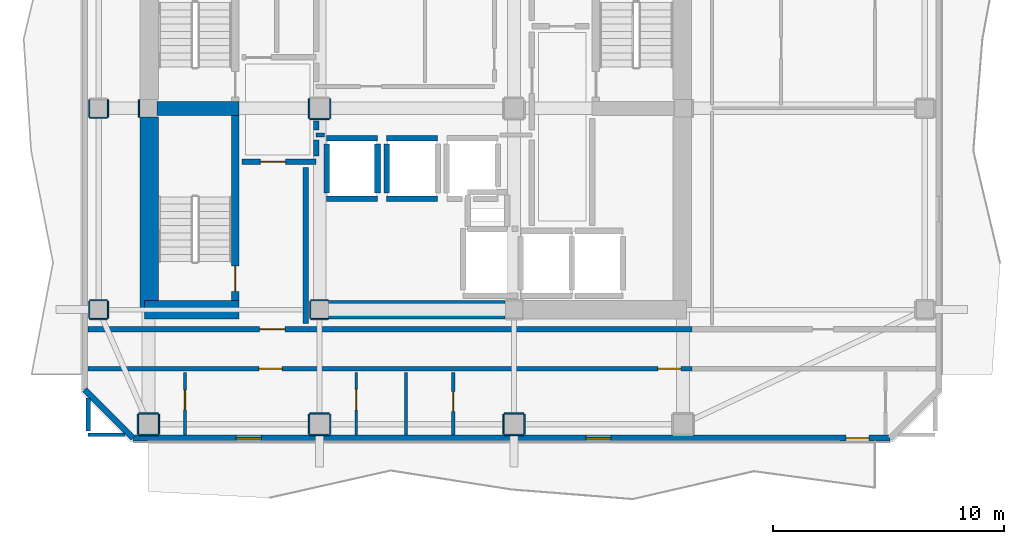
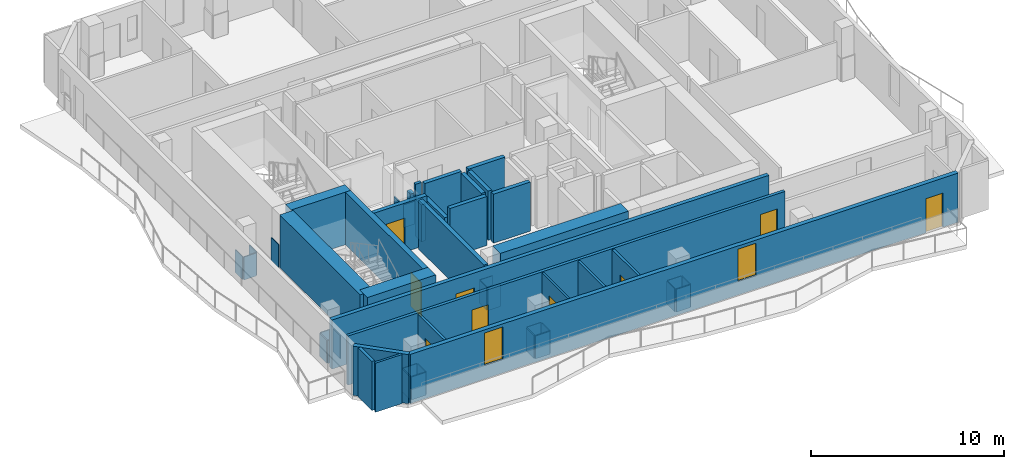
# One storey, part 2 of 9: 53 walls, 9 doors, 2 windows, 11 openings.
"""IFC4 building model written with IfcOpenShell, lengths in metres."""

from ifc_helpers import new_model, si_unit, direction, frame, frame_2d, origin, place, context, subcontext, project, spatial, rectangle, extrude, material, layer, layer_set, type_object, element, fill, save


model = new_model("IFC4")

# Units and contexts
model_context = context("Model", 3, precision=1e-05, world=origin(), true_north=direction((0.0, 1.0)))
body_context = subcontext(model_context, "Body", "Model", "MODEL_VIEW")
ifc_project = project(units=[si_unit("LENGTHUNIT", "METRE"), si_unit("AREAUNIT", "SQUARE_METRE"), si_unit("VOLUMEUNIT", "CUBIC_METRE"), si_unit("PLANEANGLEUNIT", "RADIAN"), si_unit("MASSUNIT", "GRAM", prefix="KILO")], contexts=[model_context])

# Site, building, storey
site_placement = place(None, origin())
site = spatial("IfcSite", under=ifc_project, at=site_placement, CompositionType="ELEMENT")
building_placement = place(site_placement, origin())
building = spatial("IfcBuilding", under=site, at=building_placement, Name="Solanera Arch Residences", CompositionType="ELEMENT")
storey_placement = place(building_placement, frame((0.0, 0.0, 237.919921875)))
storey = spatial("IfcBuildingStorey", under=building, at=storey_placement, Name="L69", CompositionType="ELEMENT", Elevation=237.919921875)

# Walls
ifc_material_1 = material(Name="Fire-Rated Gypsum Stud Partition", Category="gypsum")
ifc_layer_1 = layer(ifc_material_1, 0.06005859375)
ifc_layer_set_1 = layer_set([ifc_layer_1], Name="Fire-Rated Gypsum Stud Partition")
wall_type_1 = type_object("IfcWallType", Name="Column Acoustic Furring Wall 60", PredefinedType="PARTITIONING", material=ifc_layer_set_1)
for number, where, z_axis, x_axis, name in (
    (1, (20.425048828125, 21.593017578125, 0.0), (0.0, 0.0, 1.0), (1.0, 0.0, 0.0), "L69 Column Furring 1S"),
    (2, (20.425048828125, 22.406982421875, 0.0), (0.0, 0.0, 1.0), (1.0, 0.0, 0.0), "L69 Column Furring 1N"),
):
    element("IfcWall", number, at=place(storey_placement, frame(where, z_axis=z_axis, x_axis=x_axis)), inside=storey, type_object=wall_type_1, Name=name, PredefinedType="PARTITIONING", context=body_context, shape_type="SweptSolid", body=[
        extrude(rectangle(XDim=0.741943359375, YDim=0.06005859375, at=frame_2d((0.37109375, 0.0))), origin(), (0.0, 0.0, 1.0), 1.4501953125),
    ])
for number, where, z_axis, x_axis, name in (
    (3, (20.39306640625, 21.625, 0.0), (0.0, 0.0, 1.0), (0.0, 1.0, 0.0), "L69 Column Furring 1W"),
    (4, (12.992919921875, 30.324951171875, 0.0), (0.0, 0.0, 1.0), (0.0, 1.0, 0.0), "L69 Column Furring 5W"),
):
    element("IfcWall", number, at=place(storey_placement, frame(where, z_axis=z_axis, x_axis=x_axis)), inside=storey, type_object=wall_type_1, Name=name, PredefinedType="PARTITIONING", context=body_context, shape_type="SweptSolid", body=[
        extrude(rectangle(XDim=0.75, YDim=0.06005859375, at=frame_2d((0.375, 0.0))), origin(), (0.0, 0.0, 1.0), 1.4501953125),
    ])
for number, where, z_axis, x_axis, name in (
    (5, (20.375, 30.242919921875, 0.0), (0.0, 0.0, 1.0), (1.0, 0.0, 0.0), "L69 Column Furring 7S"),
    (6, (20.343017578125, 30.27490234375, 0.0), (0.0, 0.0, 1.0), (0.0, 1.0, 0.0), "L69 Column Furring 7W"),
    (7, (21.257080078125, 30.27490234375, 0.0), (0.0, 0.0, 1.0), (0.0, 1.0, 0.0), "L69 Column Furring 7E"),
):
    element("IfcWall", number, at=place(storey_placement, frame(where, z_axis=z_axis, x_axis=x_axis)), inside=storey, type_object=wall_type_1, Name=name, PredefinedType="PARTITIONING", context=body_context, shape_type="SweptSolid", body=[
        extrude(rectangle(XDim=0.85009765625, YDim=0.06005859375, at=frame_2d((0.425048828125, 0.0))), origin(), (0.0, 0.0, 1.0), 1.4501953125),
    ])
for number, where, z_axis, x_axis, name in (
    (8, (12.97509765625, 16.593017578125, 0.0), (0.0, 0.0, 1.0), (1.0, 0.0, 0.0), "L69 Column Furring 9S"),
    (9, (12.97509765625, 17.507080078125, 0.0), (0.0, 0.0, 1.0), (1.0, 0.0, 0.0), "L69 Column Furring 9N"),
):
    element("IfcWall", number, at=place(storey_placement, frame(where, z_axis=z_axis, x_axis=x_axis)), inside=storey, type_object=wall_type_1, Name=name, PredefinedType="PARTITIONING", context=body_context, shape_type="SweptSolid", body=[
        extrude(rectangle(XDim=0.849853515625, YDim=0.06005859375, at=frame_2d((0.4248046875, 0.0))), origin(), (0.0, 0.0, 1.0), 1.4501953125),
    ])
for number, where, z_axis, x_axis, name in (
    (10, (12.943115234375, 16.625, 0.0), (0.0, 0.0, 1.0), (0.0, 1.0, 0.0), "L69 Column Furring 9W"),
    (11, (13.85693359375, 16.625, 0.0), (0.0, 0.0, 1.0), (0.0, 1.0, 0.0), "L69 Column Furring 9E"),
    (12, (20.375, 16.593017578125, 0.0), (0.0, 0.0, 1.0), (1.0, 0.0, 0.0), "L69 Column Furring 11S"),
    (13, (20.375, 17.507080078125, 0.0), (0.0, 0.0, 1.0), (1.0, 0.0, 0.0), "L69 Column Furring 11N"),
    (14, (20.343017578125, 16.625, 0.0), (0.0, 0.0, 1.0), (0.0, 1.0, 0.0), "L69 Column Furring 11W"),
    (15, (21.257080078125, 16.625, 0.0), (0.0, 0.0, 1.0), (0.0, 1.0, 0.0), "L69 Column Furring 11E"),
    (16, (28.77490234375, 16.593017578125, 0.0), (0.0, 0.0, 1.0), (1.0, 0.0, 0.0), "L69 Column Furring 13S"),
    (17, (28.77490234375, 17.507080078125, 0.0), (0.0, 0.0, 1.0), (1.0, 0.0, 0.0), "L69 Column Furring 13N"),
    (18, (28.742919921875, 16.625, 0.0), (0.0, 0.0, 1.0), (0.0, 1.0, 0.0), "L69 Column Furring 13W"),
    (19, (29.656982421875, 16.625, 0.0), (0.0, 0.0, 1.0), (0.0, 1.0, 0.0), "L69 Column Furring 13E"),
):
    element("IfcWall", number, at=place(storey_placement, frame(where, z_axis=z_axis, x_axis=x_axis)), inside=storey, type_object=wall_type_1, Name=name, PredefinedType="PARTITIONING", context=body_context, shape_type="SweptSolid", body=[
        extrude(rectangle(XDim=0.85009765625, YDim=0.06005859375, at=frame_2d((0.425048828125, 0.0))), origin(), (0.0, 0.0, 1.0), 1.4501953125),
    ])
for number, where, z_axis, x_axis, name in (
    (20, (10.875, 21.593017578125, 0.0), (0.0, 0.0, 1.0), (1.0, 0.0, 0.0), "L69 Column Furring 17S"),
    (21, (10.875, 22.406982421875, 0.0), (0.0, 0.0, 1.0), (1.0, 0.0, 0.0), "L69 Column Furring 17N"),
    (22, (10.843017578125, 21.625, 0.0), (0.0, 0.0, 1.0), (0.0, 1.0, 0.0), "L69 Column Furring 17W"),
    (23, (11.656982421875, 21.625, 0.0), (0.0, 0.0, 1.0), (0.0, 1.0, 0.0), "L69 Column Furring 17E"),
    (24, (10.875, 30.29296875, 0.0), (0.0, 0.0, 1.0), (1.0, 0.0, 0.0), "L69 Column Furring 19S"),
    (25, (10.843017578125, 30.324951171875, 0.0), (0.0, 0.0, 1.0), (0.0, 1.0, 0.0), "L69 Column Furring 19W"),
    (26, (11.656982421875, 30.324951171875, 0.0), (0.0, 0.0, 1.0), (0.0, 1.0, 0.0), "L69 Column Furring 19E"),
):
    element("IfcWall", number, at=place(storey_placement, frame(where, z_axis=z_axis, x_axis=x_axis)), inside=storey, type_object=wall_type_1, Name=name, PredefinedType="PARTITIONING", context=body_context, shape_type="SweptSolid", body=[
        extrude(rectangle(XDim=0.75, YDim=0.06005859375, at=frame_2d((0.375, 0.0))), origin(), (0.0, 0.0, 1.0), 1.4501953125),
    ])

# Wall, opening, door
ifc_material_2 = material(Name="Concrete C40/50 (f'c = 45 MPa)", Category="concrete")
ifc_layer_2 = layer(ifc_material_2, 0.320068359375)
ifc_layer_set_2 = layer_set([ifc_layer_2], Name="Concrete C40/50 (f'c = 45 MPa)")
wall_type_2 = type_object("IfcWallType", Name="Core Shear Wall CW-320", PredefinedType="SHEAR", material=ifc_layer_set_2)
wall_1_placement = place(storey_placement, frame((17.159912109375, 22.39990234375, 0.0), z_axis=(0.0, 0.0, 1.0), x_axis=(0.0, 1.0, 0.0)))
wall_1 = element("IfcWall", 27, at=wall_1_placement, inside=storey, type_object=wall_type_2, Name="L69 Stair ST-T3 East Shear Wall", PredefinedType="SHEAR", context=body_context, shape_type="SweptSolid", body=[
    extrude(rectangle(XDim=8.0, YDim=0.320068359375, at=frame_2d((4.0, 0.0))), origin(), (0.0, 0.0, 1.0), 3.320068359375),
])
opening_1_placement = place(wall_1_placement, frame((0.389892578125, 0.0, 0.0)))
opening_1 = element("IfcOpeningElement", 28, at=opening_1_placement, cuts=wall_1, Name="Opening DF-01", PredefinedType="OPENING", context=body_context, shape_type="SweptSolid", body=[
    extrude(rectangle(XDim=1.10009765625, YDim=2.14990234375, at=frame_2d((0.550048828125, 1.074951171875))), frame((0.0, 0.169921875, 0.0), z_axis=(0.0, -1.0, 0.0), x_axis=(1.0, 0.0, 0.0)), (0.0, 0.0, 1.0), 0.3401),
])
ifc_material_3 = material(Name="Fire-Rated Architectural Hardwood", Category="wood")
door_type_1 = type_object("IfcDoorType", Name="Stair Exit Fire Door DF-01", OperationType="NOTDEFINED", PredefinedType="DOOR", material=ifc_material_3)
door_1_placement = place(opening_1_placement, origin())
door_1 = element("IfcDoor", 29, at=door_1_placement, inside=storey, type_object=door_type_1, Name="DR-L69-STAIR-ST-T3", OperationType="SINGLE_SWING_LEFT", OverallHeight=2.14990234375, OverallWidth=1.10009765625, PredefinedType="DOOR", context=body_context, shape_type="SweptSolid", body=[
    extrude(rectangle(XDim=1.10009765625, YDim=2.14990234375, at=frame_2d((0.550048828125, 1.074951171875))), frame((0.0, 0.02490234375, 0.0), z_axis=(0.0, -1.0, 0.0), x_axis=(1.0, 0.0, 0.0)), (0.0, 0.0, 1.0), 0.050048828125),
])
fill(opening_1, door_1)

# Walls
ifc_material_4 = material(Name="Concrete C40/50 (f'c = 45 MPa)", Category="concrete")
ifc_layer_3 = layer(ifc_material_4, 0.60009765625)
ifc_layer_set_3 = layer_set([ifc_layer_3], Name="Concrete C40/50 (f'c = 45 MPa)")
wall_type_3 = type_object("IfcWallType", Name="Core Shear Wall CW-600", PredefinedType="SHEAR", material=ifc_layer_set_3)
wall_2_placement = place(storey_placement, frame((13.780029296875, 30.699951171875, 0.0), z_axis=(0.0, 0.0, 1.0), x_axis=(1.0, 0.0, 0.0)))
element("IfcWall", 30, at=wall_2_placement, inside=storey, type_object=wall_type_3, Name="L69 West Stair Divider Shear Wall", PredefinedType="SHEAR", context=body_context, shape_type="SweptSolid", body=[
    extrude(rectangle(XDim=3.5400390625, YDim=0.60009765625, at=frame_2d((1.77001953125, 0.0))), origin(), (0.0, 0.0, 1.0), 3.320068359375),
])
ifc_material_5 = material(Name="Concrete C40/50 (f'c = 45 MPa)", Category="concrete")
ifc_layer_4 = layer(ifc_material_5, 0.800048828125)
ifc_layer_set_4 = layer_set([ifc_layer_4], Name="Concrete C40/50 (f'c = 45 MPa)")
wall_type_4 = type_object("IfcWallType", Name="Core Shear Wall CW-800", PredefinedType="SHEAR", material=ifc_layer_set_4)
wall_3_placement = place(storey_placement, frame((13.43994140625, 22.0, 0.0), z_axis=(0.0, 0.0, 1.0), x_axis=(0.0, 1.0, 0.0)))
element("IfcWall", 31, at=wall_3_placement, inside=storey, type_object=wall_type_4, Name="L69 West Core South Shear Wall", PredefinedType="SHEAR", context=body_context, shape_type="SweptSolid", body=[
    extrude(rectangle(XDim=8.320068359375, YDim=0.800048828125, at=frame_2d((4.16015625, 0.0))), origin(), (0.0, 0.0, 1.0), 3.320068359375),
])
wall_4_placement = place(storey_placement, frame((13.239990234375, 22.0, 0.0), z_axis=(0.0, 0.0, 1.0), x_axis=(1.0, 0.0, 0.0)))
element("IfcWall", 32, at=wall_4_placement, inside=storey, type_object=wall_type_4, Name="L69 South-West Core Shear Wall", PredefinedType="SHEAR", context=body_context, shape_type="SweptSolid", body=[
    extrude(rectangle(XDim=4.080078125, YDim=0.800048828125, at=frame_2d((2.0400390625, 0.0))), origin(), (0.0, 0.0, 1.0), 3.320068359375),
])
wall_5_placement = place(storey_placement, frame((21.179931640625, 22.0, 0.0), z_axis=(0.0, 0.0, 1.0), x_axis=(1.0, 0.0, 0.0)))
element("IfcWall", 33, at=wall_5_placement, inside=storey, type_object=wall_type_4, Name="L69 Central South Core Shear Wall", PredefinedType="SHEAR", context=body_context, shape_type="SweptSolid", body=[
    extrude(rectangle(XDim=7.64013671875, YDim=0.800048828125, at=frame_2d((3.820068359375, 0.0))), origin(), (0.0, 0.0, 1.0), 3.320068359375),
])

# Wall, openings, doors
ifc_material_6 = material(Name="Autoclaved Aerated Concrete Blockwork", Category="masonry")
ifc_layer_5 = layer(ifc_material_6, 0.179931640625)
ifc_layer_set_5 = layer_set([ifc_layer_5], Name="Autoclaved Aerated Concrete Blockwork")
wall_type_5 = type_object("IfcWallType", Name="Corridor Fire Partition 180", PredefinedType="PARTITIONING", material=ifc_layer_set_5)
wall_6_placement = place(storey_placement, frame((10.787109375, 19.449951171875, 0.0), z_axis=(0.0, 0.0, 1.0), x_axis=(1.0, 0.0, 0.0)))
wall_6 = element("IfcWall", 34, at=wall_6_placement, inside=storey, type_object=wall_type_5, Name="L69 Interior Partition H6 1", PredefinedType="PARTITIONING", context=body_context, shape_type="SweptSolid", body=[
    extrude(rectangle(XDim=26.101806640625, YDim=0.179931640625, at=frame_2d((13.05078125, 0.0))), origin(), (0.0, 0.0, 1.0), 3.10009765625),
])
opening_2_placement = place(wall_6_placement, frame((7.39208984375, 0.0, 0.0)))
opening_2 = element("IfcOpeningElement", 35, at=opening_2_placement, cuts=wall_6, Name="Opening DI-01", PredefinedType="OPENING", context=body_context, shape_type="SweptSolid", body=[
    extrude(rectangle(XDim=1.0, YDim=2.14990234375, at=frame_2d((0.5, 1.074951171875))), frame((0.0, 0.10009765625, 0.0), z_axis=(0.0, -1.0, 0.0), x_axis=(1.0, 0.0, 0.0)), (0.0, 0.0, 1.0), 0.1999),
])
opening_3_placement = place(wall_6_placement, frame((24.626953125, 0.0, 0.0)))
opening_3 = element("IfcOpeningElement", 36, at=opening_3_placement, cuts=wall_6, Name="Opening DI-01", PredefinedType="OPENING", context=body_context, shape_type="SweptSolid", body=[
    extrude(rectangle(XDim=1.0, YDim=2.14990234375, at=frame_2d((0.5, 1.074951171875))), frame((0.0, 0.10009765625, 0.0), z_axis=(0.0, -1.0, 0.0), x_axis=(1.0, 0.0, 0.0)), (0.0, 0.0, 1.0), 0.1999),
])
ifc_material_7 = material(Name="Fire-Rated Architectural Hardwood", Category="wood")
door_type_2 = type_object("IfcDoorType", Name="Unit Entrance Fire Door DI-01", OperationType="NOTDEFINED", PredefinedType="DOOR", material=ifc_material_7)
door_2_placement = place(opening_2_placement, origin())
door_2 = element("IfcDoor", 37, at=door_2_placement, inside=storey, type_object=door_type_2, Name="DR-L69-IN-014", OperationType="SINGLE_SWING_RIGHT", OverallHeight=2.14990234375, OverallWidth=1.0, PredefinedType="DOOR", context=body_context, shape_type="SweptSolid", body=[
    extrude(rectangle(XDim=1.0, YDim=2.14990234375, at=frame_2d((0.5, 1.074951171875))), frame((0.0, 0.02490234375, 0.0), z_axis=(0.0, -1.0, 0.0), x_axis=(1.0, 0.0, 0.0)), (0.0, 0.0, 1.0), 0.050048828125),
])
fill(opening_2, door_2)
door_3_placement = place(opening_3_placement, origin())
door_3 = element("IfcDoor", 38, at=door_3_placement, inside=storey, type_object=door_type_2, Name="DR-L69-IN-017", OperationType="SINGLE_SWING_LEFT", OverallHeight=2.14990234375, OverallWidth=1.0, PredefinedType="DOOR", context=body_context, shape_type="SweptSolid", body=[
    extrude(rectangle(XDim=1.0, YDim=2.14990234375, at=frame_2d((0.5, 1.074951171875))), frame((0.0, 0.02490234375, 0.0), z_axis=(0.0, -1.0, 0.0), x_axis=(1.0, 0.0, 0.0)), (0.0, 0.0, 1.0), 0.050048828125),
])
fill(opening_3, door_3)

# Walls
wall_7_placement = place(storey_placement, frame((20.64990234375, 29.550048828125, 0.0), z_axis=(0.0, 0.0, 1.0), x_axis=(1.0, 0.0, 0.0)))
element("IfcWall", 39, at=wall_7_placement, inside=storey, type_object=wall_type_5, Name="L69 Interior Partition H7 1", PredefinedType="PARTITIONING", context=body_context, shape_type="SweptSolid", body=[
    extrude(rectangle(XDim=0.357177734375, YDim=0.179931640625, at=frame_2d((0.1787109375, 0.0))), origin(), (0.0, 0.0, 1.0), 3.10009765625),
])
wall_8_placement = place(storey_placement, frame((10.800048828125, 16.76806640625, 0.0), z_axis=(0.0, 0.0, 1.0), x_axis=(0.0, 1.0, 0.0)))
element("IfcWall", 40, at=wall_8_placement, inside=storey, type_object=wall_type_5, Name="L69 Interior Partition V6", PredefinedType="PARTITIONING", context=body_context, shape_type="SweptSolid", body=[
    extrude(rectangle(XDim=1.4208984375, YDim=0.179931640625, at=frame_2d((0.71044921875, 0.0))), origin(), (0.0, 0.0, 1.0), 3.10009765625),
])

# Wall, openings, door, windows
ifc_material_8 = material(Name="Precast Concrete C35/45", Category="concrete")
ifc_layer_6 = layer(ifc_material_8, 0.260009765625)
ifc_layer_set_6 = layer_set([ifc_layer_6], Name="Precast Concrete C35/45")
wall_type_6 = type_object("IfcWallType", Name="Exterior Wall Precast Masonry-Frame 260", PredefinedType="STANDARD", material=ifc_layer_set_6)
wall_9_placement = place(storey_placement, frame((45.455078125, 16.445068359375, 0.0), z_axis=(0.0, 0.0, 1.0), x_axis=(-1.0, 0.0, 0.0)))
wall_9 = element("IfcWall", 41, at=wall_9_placement, inside=storey, type_object=wall_type_6, Name="L69 Tower Exterior Precast Masonry-Frame Wall S", PredefinedType="STANDARD", context=body_context, shape_type="SweptSolid", body=[
    extrude(rectangle(XDim=32.7099609375, YDim=0.260009765625, at=frame_2d((16.35498046875, 0.0))), origin(), (0.0, 0.0, 1.0), 3.10009765625),
])
opening_4_placement = place(wall_9_placement, frame((0.906982421875, 0.0, 0.0)))
opening_4 = element("IfcOpeningElement", 42, at=opening_4_placement, cuts=wall_9, Name="Opening DB-01", PredefinedType="OPENING", context=body_context, shape_type="SweptSolid", body=[
    extrude(rectangle(XDim=1.0, YDim=2.14990234375, at=frame_2d((0.5, 1.074951171875))), frame((0.0, 0.139892578125, 0.0), z_axis=(0.0, -1.0, 0.0), x_axis=(1.0, 0.0, 0.0)), (0.0, 0.0, 1.0), 0.28),
])
opening_5_placement = place(wall_9_placement, frame((27.177001953125, 0.0, 0.85009765625)))
opening_5 = element("IfcOpeningElement", 43, at=opening_5_placement, cuts=wall_9, Name="Opening W-11", PredefinedType="OPENING", context=body_context, shape_type="SweptSolid", body=[
    extrude(rectangle(XDim=1.10009765625, YDim=2.050048828125, at=frame_2d((0.550048828125, 1.02490234375))), frame((0.0, 0.139892578125, 0.0), z_axis=(0.0, -1.0, 0.0), x_axis=(1.0, 0.0, 0.0)), (0.0, 0.0, 1.0), 0.28),
])
opening_6_placement = place(wall_9_placement, frame((12.054931640625, 0.0, 0.85009765625)))
opening_6 = element("IfcOpeningElement", 44, at=opening_6_placement, cuts=wall_9, Name="Opening W-11", PredefinedType="OPENING", context=body_context, shape_type="SweptSolid", body=[
    extrude(rectangle(XDim=1.10009765625, YDim=2.050048828125, at=frame_2d((0.550048828125, 1.02490234375))), frame((0.0, 0.139892578125, 0.0), z_axis=(0.0, -1.0, 0.0), x_axis=(1.0, 0.0, 0.0)), (0.0, 0.0, 1.0), 0.28),
])
ifc_material_9 = material(Name="Anodised Aluminium Alloy 6063-T6", Category="aluminium")
door_type_3 = type_object("IfcDoorType", Name="Glazed Balcony Swing Door DB-01", OperationType="NOTDEFINED", PredefinedType="DOOR", material=ifc_material_9)
door_4_placement = place(opening_4_placement, origin())
door_4 = element("IfcDoor", 45, at=door_4_placement, inside=storey, type_object=door_type_3, Name="DR-L69-OUT-01", OperationType="SINGLE_SWING_LEFT", OverallHeight=2.14990234375, OverallWidth=1.0, PredefinedType="DOOR", context=body_context, shape_type="SweptSolid", body=[
    extrude(rectangle(XDim=1.0, YDim=2.14990234375, at=frame_2d((0.5, 1.074951171875))), frame((0.0, 0.02490234375, 0.0), z_axis=(0.0, -1.0, 0.0), x_axis=(1.0, 0.0, 0.0)), (0.0, 0.0, 1.0), 0.050048828125),
])
fill(opening_4, door_4)
ifc_material_10 = material(Name="Double Glazed Low-E Laminated Glass", Category="glass")
window_type = type_object("IfcWindowType", Name="Punched Window W-11", PartitioningType="SINGLE_PANEL", PredefinedType="WINDOW", material=ifc_material_10)
window_1_placement = place(opening_5_placement, origin())
window_1 = element("IfcWindow", 46, at=window_1_placement, inside=storey, type_object=window_type, Name="L69 6901-LIV Punched Window", OverallHeight=2.050048828125, OverallWidth=1.10009765625, PartitioningType="SINGLE_PANEL", PredefinedType="WINDOW", context=body_context, shape_type="SweptSolid", body=[
    extrude(rectangle(XDim=1.10009765625, YDim=2.050048828125, at=frame_2d((0.550048828125, 1.02490234375))), frame((0.0, 0.030029296875, 0.0), z_axis=(0.0, -1.0, 0.0), x_axis=(1.0, 0.0, 0.0)), (0.0, 0.0, 1.0), 0.06005859375),
])
fill(opening_5, window_1)
window_2_placement = place(opening_6_placement, origin())
window_2 = element("IfcWindow", 47, at=window_2_placement, inside=storey, type_object=window_type, Name="L69 6902-LIV Punched Window", OverallHeight=2.050048828125, OverallWidth=1.10009765625, PartitioningType="SINGLE_PANEL", PredefinedType="WINDOW", context=body_context, shape_type="SweptSolid", body=[
    extrude(rectangle(XDim=1.10009765625, YDim=2.050048828125, at=frame_2d((0.550048828125, 1.02490234375))), frame((0.0, 0.030029296875, 0.0), z_axis=(0.0, -1.0, 0.0), x_axis=(1.0, 0.0, 0.0)), (0.0, 0.0, 1.0), 0.06005859375),
])
fill(opening_6, window_2)

# Walls
wall_10_placement = place(storey_placement, frame((12.7451171875, 16.445068359375, 0.0), z_axis=(0.0, 0.0, 1.0), x_axis=(-0.707147883682, 0.707065676302, 0.0)))
element("IfcWall", 48, at=wall_10_placement, inside=storey, type_object=wall_type_6, Name="L69 Tower Exterior Precast Masonry-Frame Wall CH7", PredefinedType="STANDARD", context=body_context, shape_type="SweptSolid", body=[
    extrude(rectangle(XDim=2.9697265625, YDim=0.260009765625, at=frame_2d((1.48486328125, 0.0))), origin(), (0.0, 0.0, 1.0), 3.10009765625),
])
ifc_material_11 = material(Name="Autoclaved Aerated Concrete Blockwork", Category="masonry")
ifc_layer_7 = layer(ifc_material_11, 0.239990234375)
ifc_layer_set_7 = layer_set([ifc_layer_7], Name="Autoclaved Aerated Concrete Blockwork")
wall_type_7 = type_object("IfcWallType", Name="Shaft Wall Fire-Rated 240", PredefinedType="PARTITIONING", material=ifc_layer_set_7)
for number, where, z_axis, x_axis, name in (
    (49, (21.10009765625, 26.800048828125, 0.0), (0.0, 0.0, 1.0), (1.0, 0.0, 0.0), "L69 Lift PL-H1 Hoistway Wall S"),
    (50, (21.10009765625, 29.39990234375, 0.0), (0.0, 0.0, 1.0), (1.0, 0.0, 0.0), "L69 Lift PL-H1 Hoistway Wall N"),
):
    element("IfcWall", number, at=place(storey_placement, frame(where, z_axis=z_axis, x_axis=x_axis)), inside=storey, type_object=wall_type_7, Name=name, PredefinedType="PARTITIONING", context=body_context, shape_type="SweptSolid", body=[
        extrude(rectangle(XDim=2.199951171875, YDim=0.239990234375, at=frame_2d((1.10009765625, 0.0))), origin(), (0.0, 0.0, 1.0), 3.10009765625),
    ])
wall_11_placement = place(storey_placement, frame((21.10009765625, 27.048095703125, 0.0), z_axis=(0.0, 0.0, 1.0), x_axis=(0.0, 1.0, 0.0)))
element("IfcWall", 51, at=wall_11_placement, inside=storey, type_object=wall_type_7, Name="L69 Lift PL-H1 Hoistway Wall W", PredefinedType="PARTITIONING", context=body_context, shape_type="SweptSolid", body=[
    extrude(rectangle(XDim=2.10400390625, YDim=0.239990234375, at=frame_2d((1.052001953125, 0.0))), origin(), (0.0, 0.0, 1.0), 2.3349609375),
])
wall_12_placement = place(storey_placement, frame((23.300048828125, 27.048095703125, 0.0), z_axis=(0.0, 0.0, 1.0), x_axis=(0.0, 1.0, 0.0)))
element("IfcWall", 52, at=wall_12_placement, inside=storey, type_object=wall_type_7, Name="L69 Lift PL-H1 Hoistway Wall E", PredefinedType="PARTITIONING", context=body_context, shape_type="SweptSolid", body=[
    extrude(rectangle(XDim=2.10400390625, YDim=0.239990234375, at=frame_2d((1.052001953125, 0.0))), origin(), (0.0, 0.0, 1.0), 3.10009765625),
])
for number, where, z_axis, x_axis, name in (
    (53, (23.699951171875, 26.800048828125, 0.0), (0.0, 0.0, 1.0), (1.0, 0.0, 0.0), "L69 Lift PL-H2 Hoistway Wall S"),
    (54, (23.699951171875, 29.39990234375, 0.0), (0.0, 0.0, 1.0), (1.0, 0.0, 0.0), "L69 Lift PL-H2 Hoistway Wall N"),
):
    element("IfcWall", number, at=place(storey_placement, frame(where, z_axis=z_axis, x_axis=x_axis)), inside=storey, type_object=wall_type_7, Name=name, PredefinedType="PARTITIONING", context=body_context, shape_type="SweptSolid", body=[
        extrude(rectangle(XDim=2.199951171875, YDim=0.239990234375, at=frame_2d((1.10009765625, 0.0))), origin(), (0.0, 0.0, 1.0), 3.10009765625),
    ])
wall_13_placement = place(storey_placement, frame((23.699951171875, 27.048095703125, 0.0), z_axis=(0.0, 0.0, 1.0), x_axis=(0.0, 1.0, 0.0)))
element("IfcWall", 55, at=wall_13_placement, inside=storey, type_object=wall_type_7, Name="L69 Lift PL-H2 Hoistway Wall W", PredefinedType="PARTITIONING", context=body_context, shape_type="SweptSolid", body=[
    extrude(rectangle(XDim=2.10400390625, YDim=0.239990234375, at=frame_2d((1.052001953125, 0.0))), origin(), (0.0, 0.0, 1.0), 3.10009765625),
])

# Wall, opening, door
wall_14_placement = place(storey_placement, frame((10.787109375, 21.14990234375, 0.0), z_axis=(0.0, 0.0, 1.0), x_axis=(1.0, 0.0, 0.0)))
wall_14 = element("IfcWall", 56, at=wall_14_placement, inside=storey, type_object=wall_type_7, Name="L69 Interior Partition H1 1", PredefinedType="PARTITIONING", context=body_context, shape_type="SweptSolid", body=[
    extrude(rectangle(XDim=26.101806640625, YDim=0.239990234375, at=frame_2d((13.05078125, 0.0))), origin(), (0.0, 0.0, 1.0), 3.10009765625),
])
opening_7_placement = place(wall_14_placement, frame((7.423095703125, 0.0, 0.0)))
opening_7 = element("IfcOpeningElement", 57, at=opening_7_placement, cuts=wall_14, Name="Opening DF-02", PredefinedType="OPENING", context=body_context, shape_type="SweptSolid", body=[
    extrude(rectangle(XDim=1.10009765625, YDim=2.14990234375, at=frame_2d((0.550048828125, 1.074951171875))), frame((0.0, 0.1298828125, 0.0), z_axis=(0.0, -1.0, 0.0), x_axis=(1.0, 0.0, 0.0)), (0.0, 0.0, 1.0), 0.26),
])
ifc_material_12 = material(Name="Fire-Rated Architectural Hardwood", Category="wood")
door_type_4 = type_object("IfcDoorType", Name="Firefighting Lobby Fire Door DF-02", OperationType="NOTDEFINED", PredefinedType="DOOR", material=ifc_material_12)
door_5_placement = place(opening_7_placement, origin())
door_5 = element("IfcDoor", 58, at=door_5_placement, inside=storey, type_object=door_type_4, Name="DR-L69-IN-008", OperationType="SINGLE_SWING_RIGHT", OverallHeight=2.14990234375, OverallWidth=1.10009765625, PredefinedType="DOOR", context=body_context, shape_type="SweptSolid", body=[
    extrude(rectangle(XDim=1.10009765625, YDim=2.14990234375, at=frame_2d((0.550048828125, 1.074951171875))), frame((0.0, 0.02490234375, 0.0), z_axis=(0.0, -1.0, 0.0), x_axis=(1.0, 0.0, 0.0)), (0.0, 0.0, 1.0), 0.050048828125),
])
fill(opening_7, door_5)

wall_15_placement = place(storey_placement, frame((17.449951171875, 28.39990234375, 0.0), z_axis=(0.0, 0.0, 1.0), x_axis=(1.0, 0.0, 0.0)))
wall_15 = element("IfcWall", 59, at=wall_15_placement, inside=storey, type_object=wall_type_7, Name="L69 Interior Partition H3", PredefinedType="PARTITIONING", context=body_context, shape_type="SweptSolid", body=[
    extrude(rectangle(XDim=3.199951171875, YDim=0.239990234375, at=frame_2d((1.60009765625, 0.0))), origin(), (0.0, 0.0, 1.0), 3.10009765625),
])
opening_8_placement = place(wall_15_placement, frame((0.783935546875, 0.0, 0.0)))
opening_8 = element("IfcOpeningElement", 60, at=opening_8_placement, cuts=wall_15, Name="Opening DF-02", PredefinedType="OPENING", context=body_context, shape_type="SweptSolid", body=[
    extrude(rectangle(XDim=1.10009765625, YDim=2.14990234375, at=frame_2d((0.550048828125, 1.074951171875))), frame((0.0, 0.1298828125, 0.0), z_axis=(0.0, -1.0, 0.0), x_axis=(1.0, 0.0, 0.0)), (0.0, 0.0, 1.0), 0.26),
])
door_6_placement = place(opening_8_placement, origin())
door_6 = element("IfcDoor", 61, at=door_6_placement, inside=storey, type_object=door_type_4, Name="DR-L69-IN-004", OperationType="SINGLE_SWING_RIGHT", OverallHeight=2.14990234375, OverallWidth=1.10009765625, PredefinedType="DOOR", context=body_context, shape_type="SweptSolid", body=[
    extrude(rectangle(XDim=1.10009765625, YDim=2.14990234375, at=frame_2d((0.550048828125, 1.074951171875))), frame((0.0, 0.02490234375, 0.0), z_axis=(0.0, -1.0, 0.0), x_axis=(1.0, 0.0, 0.0)), (0.0, 0.0, 1.0), 0.050048828125),
])
fill(opening_8, door_6)

# Walls
wall_16_placement = place(storey_placement, frame((20.199951171875, 21.39794921875, 0.0), z_axis=(0.0, 0.0, 1.0), x_axis=(0.0, 1.0, 0.0)))
element("IfcWall", 62, at=wall_16_placement, inside=storey, type_object=wall_type_7, Name="L69 Interior Partition V2", PredefinedType="PARTITIONING", context=body_context, shape_type="SweptSolid", body=[
    extrude(rectangle(XDim=6.754150390625, YDim=0.239990234375, at=frame_2d((3.376953125, 0.0))), origin(), (0.0, 0.0, 1.0), 3.10009765625),
])
wall_17_placement = place(storey_placement, frame((20.64990234375, 28.64794921875, 0.0), z_axis=(0.0, 0.0, 1.0), x_axis=(0.0, 1.0, 0.0)))
element("IfcWall", 63, at=wall_17_placement, inside=storey, type_object=wall_type_7, Name="L69 Interior Partition V3 1", PredefinedType="PARTITIONING", context=body_context, shape_type="SweptSolid", body=[
    extrude(rectangle(XDim=0.68408203125, YDim=0.239990234375, at=frame_2d((0.342041015625, 0.0))), origin(), (0.0, 0.0, 1.0), 2.3349609375),
])
wall_18_placement = place(storey_placement, frame((20.64990234375, 29.76806640625, 0.0), z_axis=(0.0, 0.0, 1.0), x_axis=(0.0, 1.0, 0.0)))
element("IfcWall", 64, at=wall_18_placement, inside=storey, type_object=wall_type_7, Name="L69 Interior Partition V3 2", PredefinedType="PARTITIONING", context=body_context, shape_type="SweptSolid", body=[
    extrude(rectangle(XDim=0.375, YDim=0.239990234375, at=frame_2d((0.1875, 0.0))), origin(), (0.0, 0.0, 1.0), 2.3349609375),
])

# Wall, opening, door
ifc_material_13 = material(Name="Fire-Rated Gypsum Stud Partition", Category="gypsum")
ifc_layer_8 = layer(ifc_material_13, 0.1201171875)
ifc_layer_set_8 = layer_set([ifc_layer_8], Name="Fire-Rated Gypsum Stud Partition")
wall_type_8 = type_object("IfcWallType", Name="Unit Drywall Partition 120", PredefinedType="PARTITIONING", material=ifc_layer_set_8)
wall_19_placement = place(storey_placement, frame((22.3779296875, 16.5869140625, 0.0), z_axis=(0.0, 0.0, 1.0), x_axis=(0.0, 1.0, 0.0)))
wall_19 = element("IfcWall", 65, at=wall_19_placement, inside=storey, type_object=wall_type_8, Name="L69 Interior Partition V18", PredefinedType="PARTITIONING", context=body_context, shape_type="SweptSolid", body=[
    extrude(rectangle(XDim=2.705078125, YDim=0.1201171875, at=frame_2d((1.3525390625, 0.0))), origin(), (0.0, 0.0, 1.0), 3.10009765625),
])
opening_9_placement = place(wall_19_placement, frame((1.068115234375, 0.0, 0.0)))
opening_9 = element("IfcOpeningElement", 66, at=opening_9_placement, cuts=wall_19, Name="Opening DI-02", PredefinedType="OPENING", context=body_context, shape_type="SweptSolid", body=[
    extrude(rectangle(XDim=0.89990234375, YDim=2.10009765625, at=frame_2d((0.449951171875, 1.050048828125))), frame((0.0, 0.070068359375, 0.0), z_axis=(0.0, -1.0, 0.0), x_axis=(1.0, 0.0, 0.0)), (0.0, 0.0, 1.0), 0.1401),
])
ifc_material_14 = material(Name="Fire-Rated Architectural Hardwood", Category="wood")
door_type_5 = type_object("IfcDoorType", Name="Suite Room Swing Door DI-02", OperationType="NOTDEFINED", PredefinedType="DOOR", material=ifc_material_14)
door_7_placement = place(opening_9_placement, origin())
door_7 = element("IfcDoor", 67, at=door_7_placement, inside=storey, type_object=door_type_5, Name="DR-L69-IN-016", OperationType="SINGLE_SWING_RIGHT", OverallHeight=2.10009765625, OverallWidth=0.89990234375, PredefinedType="DOOR", context=body_context, shape_type="SweptSolid", body=[
    extrude(rectangle(XDim=0.89990234375, YDim=2.10009765625, at=frame_2d((0.449951171875, 1.050048828125))), frame((0.0, 0.02490234375, 0.0), z_axis=(0.0, -1.0, 0.0), x_axis=(1.0, 0.0, 0.0)), (0.0, 0.0, 1.0), 0.050048828125),
])
fill(opening_9, door_7)

# Wall
ifc_material_15 = material(Name="Autoclaved Aerated Concrete Blockwork", Category="masonry")
ifc_layer_9 = layer(ifc_material_15, 0.139892578125)
ifc_layer_set_9 = layer_set([ifc_layer_9], Name="Autoclaved Aerated Concrete Blockwork")
wall_type_9 = type_object("IfcWallType", Name="Wet-Room Partition 140", PredefinedType="PARTITIONING", material=ifc_layer_set_9)
wall_20_placement = place(storey_placement, frame((10.800048828125, 16.60009765625, 0.0), z_axis=(0.0, 0.0, 1.0), x_axis=(1.0, 0.0, 0.0)))
element("IfcWall", 68, at=wall_20_placement, inside=storey, type_object=wall_type_9, Name="L69 Interior Partition H14 1", PredefinedType="PARTITIONING", context=body_context, shape_type="SweptSolid", body=[
    extrude(rectangle(XDim=1.5888671875, YDim=0.139892578125, at=frame_2d((0.79443359375, 0.0))), origin(), (0.0, 0.0, 1.0), 3.10009765625),
])

# Wall, opening, door
wall_21_placement = place(storey_placement, frame((14.97998046875, 16.5869140625, 0.0), z_axis=(0.0, 0.0, 1.0), x_axis=(0.0, 1.0, 0.0)))
wall_21 = element("IfcWall", 69, at=wall_21_placement, inside=storey, type_object=wall_type_9, Name="L69 Interior Partition V11", PredefinedType="PARTITIONING", context=body_context, shape_type="SweptSolid", body=[
    extrude(rectangle(XDim=2.695068359375, YDim=0.139892578125, at=frame_2d((1.34765625, 0.0))), origin(), (0.0, 0.0, 1.0), 3.10009765625),
])
opening_10_placement = place(wall_21_placement, frame((1.087890625, 0.0, 0.0)))
opening_10 = element("IfcOpeningElement", 70, at=opening_10_placement, cuts=wall_21, Name="Opening DI-05", PredefinedType="OPENING", context=body_context, shape_type="SweptSolid", body=[
    extrude(rectangle(XDim=0.860107421875, YDim=2.02001953125, at=frame_2d((0.43017578125, 1.010009765625))), frame((0.0, 0.079833984375, 0.0), z_axis=(0.0, -1.0, 0.0), x_axis=(1.0, 0.0, 0.0)), (0.0, 0.0, 1.0), 0.1599),
])
ifc_material_16 = material(Name="Fire-Rated Architectural Hardwood", Category="wood")
door_type_6 = type_object("IfcDoorType", Name="Bathroom Swing Door DI-05", OperationType="NOTDEFINED", PredefinedType="DOOR", material=ifc_material_16)
door_8_placement = place(opening_10_placement, origin())
door_8 = element("IfcDoor", 71, at=door_8_placement, inside=storey, type_object=door_type_6, Name="DR-L69-IN-015", OperationType="SINGLE_SWING_LEFT", OverallHeight=2.02001953125, OverallWidth=0.860107421875, PredefinedType="DOOR", context=body_context, shape_type="SweptSolid", body=[
    extrude(rectangle(XDim=0.860107421875, YDim=2.02001953125, at=frame_2d((0.43017578125, 1.010009765625))), frame((0.0, 0.02490234375, 0.0), z_axis=(0.0, -1.0, 0.0), x_axis=(1.0, 0.0, 0.0)), (0.0, 0.0, 1.0), 0.050048828125),
])
fill(opening_10, door_8)

# Wall
wall_22_placement = place(storey_placement, frame((24.528076171875, 16.5869140625, 0.0), z_axis=(0.0, 0.0, 1.0), x_axis=(0.0, 1.0, 0.0)))
element("IfcWall", 72, at=wall_22_placement, inside=storey, type_object=wall_type_9, Name="L69 Interior Partition V13", PredefinedType="PARTITIONING", context=body_context, shape_type="SweptSolid", body=[
    extrude(rectangle(XDim=2.695068359375, YDim=0.139892578125, at=frame_2d((1.34765625, 0.0))), origin(), (0.0, 0.0, 1.0), 3.10009765625),
])

# Wall, opening, door
wall_23_placement = place(storey_placement, frame((26.577880859375, 16.5869140625, 0.0), z_axis=(0.0, 0.0, 1.0), x_axis=(0.0, 1.0, 0.0)))
wall_23 = element("IfcWall", 73, at=wall_23_placement, inside=storey, type_object=wall_type_9, Name="L69 Interior Partition V15", PredefinedType="PARTITIONING", context=body_context, shape_type="SweptSolid", body=[
    extrude(rectangle(XDim=2.695068359375, YDim=0.139892578125, at=frame_2d((1.34765625, 0.0))), origin(), (0.0, 0.0, 1.0), 3.10009765625),
])
opening_11_placement = place(wall_23_placement, frame((1.008056640625, 0.0, 0.0)))
opening_11 = element("IfcOpeningElement", 74, at=opening_11_placement, cuts=wall_23, Name="Opening DI-05", PredefinedType="OPENING", context=body_context, shape_type="SweptSolid", body=[
    extrude(rectangle(XDim=0.860107421875, YDim=2.02001953125, at=frame_2d((0.43017578125, 1.010009765625))), frame((0.0, 0.079833984375, 0.0), z_axis=(0.0, -1.0, 0.0), x_axis=(1.0, 0.0, 0.0)), (0.0, 0.0, 1.0), 0.1599),
])
door_9_placement = place(opening_11_placement, origin())
door_9 = element("IfcDoor", 75, at=door_9_placement, inside=storey, type_object=door_type_6, Name="DR-L69-IN-018", OperationType="SINGLE_SWING_RIGHT", OverallHeight=2.02001953125, OverallWidth=0.860107421875, PredefinedType="DOOR", context=body_context, shape_type="SweptSolid", body=[
    extrude(rectangle(XDim=0.860107421875, YDim=2.02001953125, at=frame_2d((0.43017578125, 1.010009765625))), frame((0.0, 0.02490234375, 0.0), z_axis=(0.0, -1.0, 0.0), x_axis=(1.0, 0.0, 0.0)), (0.0, 0.0, 1.0), 0.050048828125),
])
fill(opening_11, door_9)

save(model, "model.ifc")
